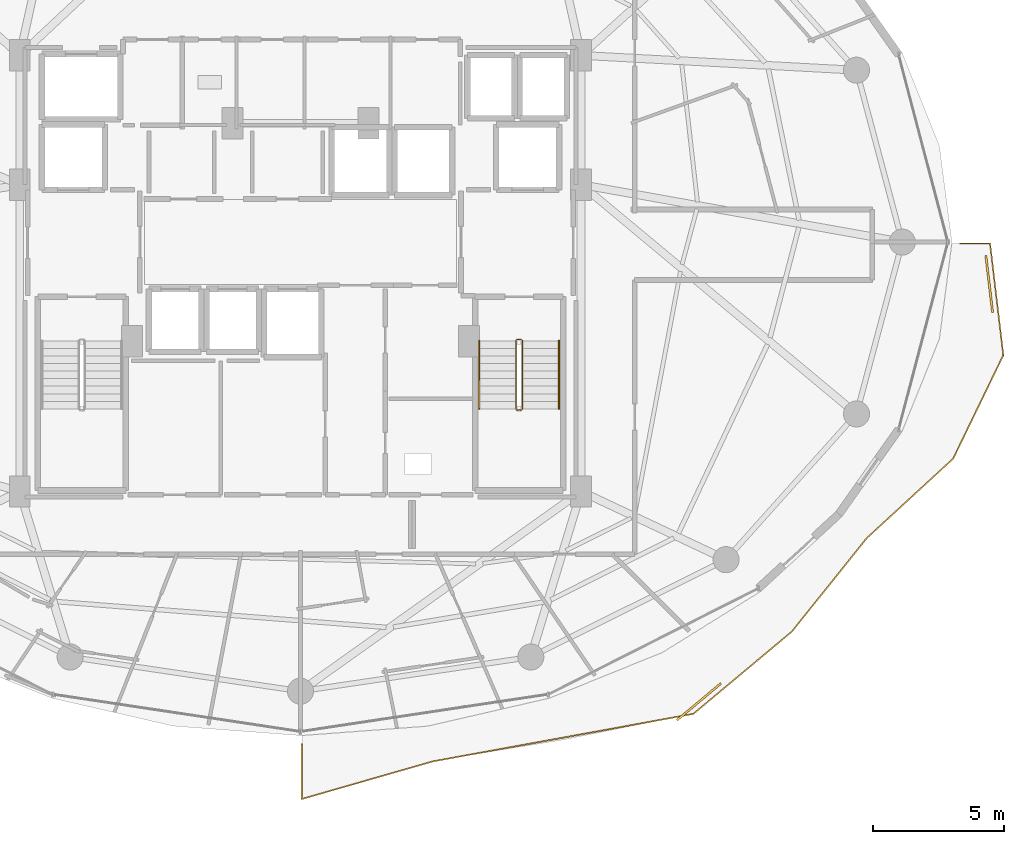
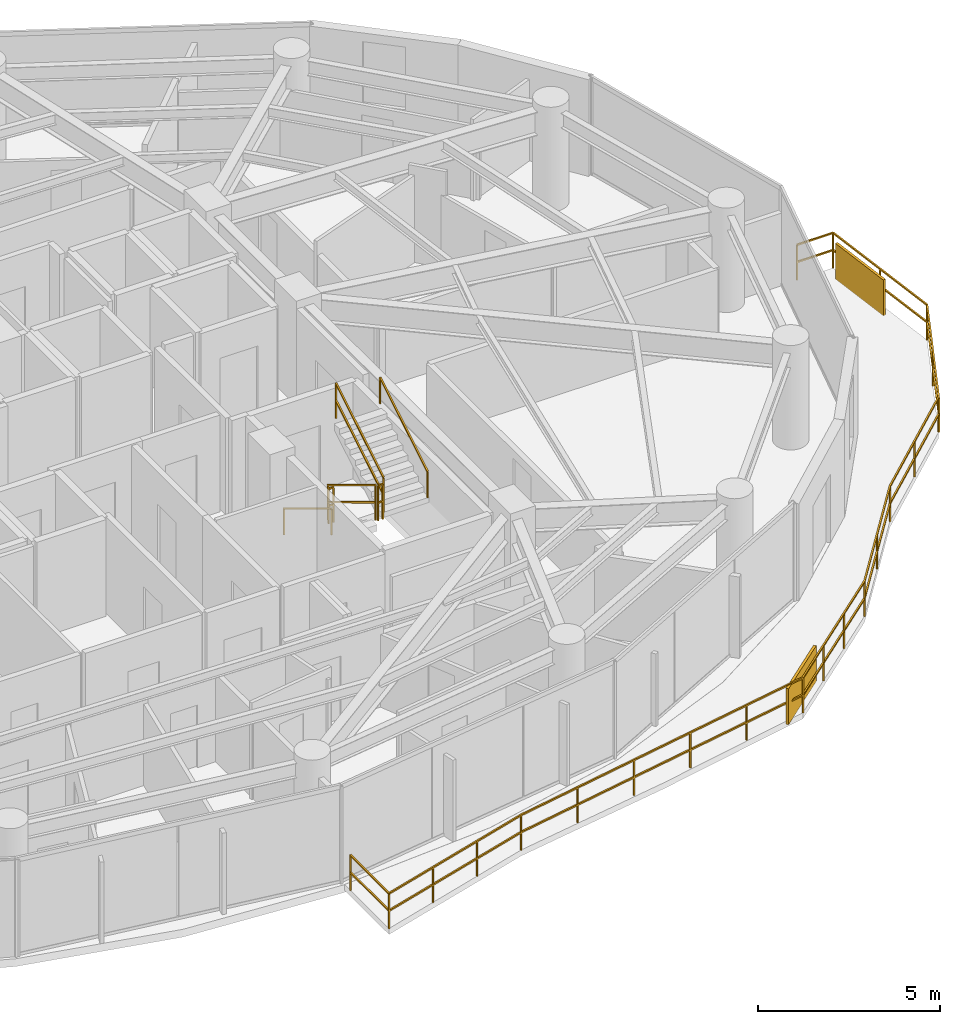
# One storey, part 29 of 31: 8 railings, 2 shading devices.
"""IFC4 building model written with IfcOpenShell, lengths in metres."""

import ifcopenshell
import ifcopenshell.guid

model = None  # the IFC model being written
_history = None  # IfcOwnerHistory: only IFC2X3 demands one
_inside = {}  # id of a spatial element -> (the spatial element, [elements in it])
_under = {}  # id of a project, library or spatial element -> (it, [spatial elements below it])
_declared = {}  # id of a project -> (the project, [libraries it declares])
_typed = {}  # id of a type object -> (the type object, [elements of that type])
_made_of = {}  # id of a material, layer set ... -> (it, [elements and type objects made of it])


def new_model(schema):
    """Start an empty IFC model of exactly this schema.

    Asked for "IFC4X3", IfcOpenShell would pick the latest addendum, in which some entities
    have other attributes; the version numbers below select the first issue.
    IFC2X3 requires an IfcOwnerHistory on every rooted entity: one is made here for all.
    """
    global model, _history
    if schema == "IFC4X3":
        model = ifcopenshell.file(schema_version=(4, 3, 0, 0))
    else:
        model = ifcopenshell.file(schema=schema)
    _inside.clear()
    _under.clear()
    _declared.clear()
    _typed.clear()
    _made_of.clear()
    _history = None
    if model.schema == "IFC2X3":
        org = make("IfcOrganization", Name="unknown")
        user = make(
            "IfcPersonAndOrganization",
            ThePerson=make("IfcPerson", FamilyName="unknown"),
            TheOrganization=org,
        )
        app = make(
            "IfcApplication",
            ApplicationDeveloper=org,
            Version="unknown",
            ApplicationFullName="unknown",
            ApplicationIdentifier="unknown",
        )
        _history = make(
            "IfcOwnerHistory",
            OwningUser=user,
            OwningApplication=app,
            ChangeAction="ADDED",
            CreationDate=0,
        )
    return model


def make(cls, **values):
    """One entity of the class cls with the attributes given. An attribute that is None is left unset."""
    return model.create_entity(
        cls, **{name: value for name, value in values.items() if value is not None}
    )


def rooted(cls, **values):
    """An entity with a GlobalId (a new one), such as an element, a storey or a relation."""
    return make(cls, GlobalId=ifcopenshell.guid.new(), OwnerHistory=_history, **values)


def si_unit(unit_type, name, prefix=None):
    """IfcSIUnit, for example si_unit("LENGTHUNIT", "METRE", prefix="MILLI")."""
    return make("IfcSIUnit", UnitType=unit_type, Prefix=prefix, Name=name)


def assignment(units):
    """IfcUnitAssignment: the units of a project."""
    return None if units is None else make("IfcUnitAssignment", Units=units)


def point(xyz):
    """IfcCartesianPoint."""
    return None if xyz is None else make("IfcCartesianPoint", Coordinates=xyz)


def direction(xyz):
    """IfcDirection."""
    return None if xyz is None else make("IfcDirection", DirectionRatios=xyz)


def frame(location, z_axis=None, x_axis=None):
    """IfcAxis2Placement3D, a coordinate frame: its origin and axes. An axis left out is left unset."""
    return make(
        "IfcAxis2Placement3D",
        Location=point(location),
        Axis=direction(z_axis),
        RefDirection=direction(x_axis),
    )


def frame_2d(location, x_axis=None):
    """IfcAxis2Placement2D, a coordinate frame in the plane: its origin and x axis."""
    return make(
        "IfcAxis2Placement2D", Location=point(location), RefDirection=direction(x_axis)
    )


def origin():
    """The frame at (0, 0, 0) with its axes left unset."""
    return frame((0.0, 0.0, 0.0))


def origin_2d():
    """The frame at (0, 0) in the plane with its x axis left unset."""
    return frame_2d((0.0, 0.0))


def place(relative_to, where):
    """IfcLocalPlacement: puts the frame where relative to a parent placement (None: the world)."""
    return make(
        "IfcLocalPlacement", PlacementRelTo=relative_to, RelativePlacement=where
    )


def context(
    kind, dimensions, precision=None, world=None, true_north=None, identifier=None
):
    """IfcGeometricRepresentationContext, for example the 3D "Model" context."""
    return make(
        "IfcGeometricRepresentationContext",
        ContextIdentifier=identifier,
        ContextType=kind,
        CoordinateSpaceDimension=dimensions,
        Precision=precision,
        WorldCoordinateSystem=world,
        TrueNorth=true_north,
    )


def subcontext(parent, identifier, kind, view, scale=None):
    """IfcGeometricRepresentationSubContext, for example "Body" below "Model"."""
    return make(
        "IfcGeometricRepresentationSubContext",
        ContextIdentifier=identifier,
        ContextType=kind,
        ParentContext=parent,
        TargetScale=scale,
        TargetView=view,
    )


def project(units=None, contexts=None):
    """IfcProject with its units and contexts."""
    return rooted(
        "IfcProject",
        Name="project",
        RepresentationContexts=contexts,
        UnitsInContext=assignment(units),
    )


def spatial(cls, under=None, at=None, **own):
    """A site, building, storey or space (cls), placed at a placement, below another one or the project."""
    s = rooted(cls, ObjectPlacement=at, **own)
    if under is not None:
        _under.setdefault(under.id(), (under, []))[1].append(s)
    return s


def profile(cls, at=None, kind="AREA", **sizes):
    """A parametric profile (cls). Its sizes go by their IFC names, for example OverallWidth=200.0."""
    return make(cls, ProfileType=kind, Position=at, **sizes)


def rectangle(**sizes):
    """IfcRectangleProfileDef."""
    return profile("IfcRectangleProfileDef", **sizes)


def extrude(swept, where, along, depth):
    """IfcExtrudedAreaSolid: the profile swept, set in the frame where, extruded along a direction by depth."""
    return make(
        "IfcExtrudedAreaSolid",
        SweptArea=swept,
        Position=where,
        ExtrudedDirection=direction(along),
        Depth=depth,
    )


def shape(context_of_items, identifier, shape_type, items):
    """IfcShapeRepresentation: the items that make up one representation, for example the "Body"."""
    return make(
        "IfcShapeRepresentation",
        ContextOfItems=context_of_items,
        RepresentationIdentifier=identifier,
        RepresentationType=shape_type,
        Items=items,
    )


def material(Name=None, Category=None):
    """IfcMaterial."""
    return make("IfcMaterial", Name=Name, Category=Category)


def made_of(thing, what):
    """Note that an element or type object is made of a material, layer set ...; save() writes the relation."""
    if what is not None:
        _made_of.setdefault(what.id(), (what, []))[1].append(thing)
    return thing


def type_object(cls, material=None, **own):
    """A type object (cls), such as IfcWallType, which elements share."""
    return made_of(rooted(cls, **own), material)


def element(
    cls,
    number,
    at=None,
    inside=None,
    cuts=None,
    type_object=None,
    material=None,
    context=None,
    identifier="Body",
    shape_type=None,
    held_by="IfcProductDefinitionShape",
    body=None,
    shapes=None,
    **own,
):
    """One element of the class cls, such as IfcWall. Its Tag is "e" and its number.

    at: its placement. inside: the storey or other place that contains it. cuts: it is an
    opening in that element (IfcRelVoidsElement). A single representation is given by context,
    identifier, shape_type and body (its items); several are given by shapes. held_by: the class
    of the entity that holds the representations. save() writes the other relations.
    """
    e = rooted(cls, Tag="e%d" % number, ObjectPlacement=at, **own)
    if body is not None:
        shapes = [shape(context, identifier, shape_type, body)]
    if shapes is not None:
        e.Representation = make(held_by, Representations=shapes)
    if inside is not None:
        _inside.setdefault(inside.id(), (inside, []))[1].append(e)
    if cuts is not None:
        rooted(
            "IfcRelVoidsElement", RelatingBuildingElement=cuts, RelatedOpeningElement=e
        )
    if type_object is not None:
        _typed.setdefault(type_object.id(), (type_object, []))[1].append(e)
    return made_of(e, material)


def aggregate(whole, parts):
    """IfcRelAggregates: a whole, such as a stair, and the parts it consists of."""
    return rooted("IfcRelAggregates", RelatingObject=whole, RelatedObjects=parts)


def save(model, path):
    """Write the relations noted so far, then the file.

    IfcRelAggregates (storeys below a building ...), IfcRelContainedInSpatialStructure (elements
    in a storey), IfcRelDefinesByType, IfcRelAssociatesMaterial and IfcRelDeclares: one each for
    every whole, place, type object, material and project.
    """
    for whole, parts in _under.values():
        aggregate(whole, parts)
    for where, things in _inside.values():
        rooted(
            "IfcRelContainedInSpatialStructure",
            RelatedElements=things,
            RelatingStructure=where,
        )
    for kind, things in _typed.values():
        rooted("IfcRelDefinesByType", RelatedObjects=things, RelatingType=kind)
    for what, things in _made_of.values():
        rooted("IfcRelAssociatesMaterial", RelatedObjects=things, RelatingMaterial=what)
    for by, libraries in _declared.values():
        rooted("IfcRelDeclares", RelatingContext=by, RelatedDefinitions=libraries)
    model.write(path)


model = new_model("IFC4")

# Units and contexts
model_context = context("Model", 3, precision=1e-05, world=origin(), true_north=direction((0.0, 1.0)))
body_context = subcontext(model_context, "Body", "Model", "MODEL_VIEW")
ifc_project = project(units=[si_unit("LENGTHUNIT", "METRE"), si_unit("AREAUNIT", "SQUARE_METRE"), si_unit("VOLUMEUNIT", "CUBIC_METRE"), si_unit("PLANEANGLEUNIT", "RADIAN"), si_unit("MASSUNIT", "GRAM", prefix="KILO")], contexts=[model_context])

# Site, building, storey
site_placement = place(None, origin())
site = spatial("IfcSite", under=ifc_project, at=site_placement, CompositionType="ELEMENT")
building_placement = place(site_placement, origin())
building = spatial("IfcBuilding", under=site, at=building_placement, Name="Vorneva Point Tower", CompositionType="ELEMENT")
storey_placement = place(building_placement, frame((0.0, 0.0, 132.60009765625)))
storey = spatial("IfcBuildingStorey", under=building, at=storey_placement, Name="L35", CompositionType="ELEMENT", Elevation=132.60009765625)

# Railings
ifc_material_1 = material(Name="Pale anodised aluminium", Category="aluminium")
railing_type_1 = type_object("IfcRailingType", Name="RL-BAL-1200", PredefinedType="BALUSTRADE", material=ifc_material_1)
railing_1_placement = place(storey_placement, frame((64.919677734375, 21.669677734375, 0.0)))
element("IfcRailing", 1, at=railing_1_placement, inside=storey, type_object=railing_type_1, Name="L35 Wave Balcony Balustrade SE.1", PredefinedType="BALUSTRADE", context=body_context, shape_type="SweptSolid", body=[
    extrude(rectangle(XDim=0.048095703125, YDim=0.048095703125, at=origin_2d()), frame((0.0, 0.0, 1.17578125), z_axis=(-0.11803736468, 0.993009154308, 0.0), x_axis=(-0.993009154308, -0.11803736468, 0.0)), (0.0, 0.0, 1.0), 4.310302734375),
    extrude(rectangle(XDim=0.048095703125, YDim=0.048095703125, at=origin_2d()), frame((0.0, 0.0, 0.60009765625), z_axis=(-0.11803736468, 0.993009154308, 0.0), x_axis=(-0.993009154308, -0.11803736468, 0.0)), (0.0, 0.0, 1.0), 4.310302734375),
    extrude(rectangle(XDim=0.048095703125, YDim=0.048095703125, at=origin_2d()), frame((-0.5087890625, 4.2802734375, 1.17578125), z_axis=(-1.0, 0.0, 0.0), x_axis=(0.0, -1.0, 0.0)), (0.0, 0.0, 1.0), 1.144775390625),
    extrude(rectangle(XDim=0.048095703125, YDim=0.048095703125, at=origin_2d()), frame((-0.5087890625, 4.2802734375, 0.60009765625), z_axis=(-1.0, 0.0, 0.0), x_axis=(0.0, -1.0, 0.0)), (0.0, 0.0, 1.0), 1.144775390625),
    extrude(rectangle(XDim=0.0419921875, YDim=0.0419921875, at=origin_2d()), origin(), (0.0, 0.0, 1.0), 1.15185546875),
    extrude(rectangle(XDim=0.0419921875, YDim=0.0419921875, at=origin_2d()), frame((-0.25439453125, 2.14013671875, 0.0)), (0.0, 0.0, 1.0), 1.15185546875),
    extrude(rectangle(XDim=0.0419921875, YDim=0.0419921875, at=origin_2d()), frame((-0.5087890625, 4.2802734375, 0.0)), (0.0, 0.0, 1.0), 1.15185546875),
    extrude(rectangle(XDim=0.0419921875, YDim=0.0419921875, at=origin_2d()), frame((-1.653564453125, 4.2802734375, 0.0)), (0.0, 0.0, 1.0), 1.15185546875),
])
railing_2_placement = place(storey_placement, frame((38.050048828125, 6.78271484375, 0.0)))
element("IfcRailing", 2, at=railing_2_placement, inside=storey, type_object=railing_type_1, Name="L35 Wave Balcony Balustrade SE.2", PredefinedType="BALUSTRADE", context=body_context, shape_type="SweptSolid", body=[
    extrude(rectangle(XDim=0.048095703125, YDim=0.048095703125, at=origin_2d()), frame((0.0, 0.0, 1.17578125), z_axis=(0.0, -1.0, 0.0), x_axis=(1.0, 0.0, 0.0)), (0.0, 0.0, 1.0), 2.11328125),
    extrude(rectangle(XDim=0.048095703125, YDim=0.048095703125, at=origin_2d()), frame((0.0, 0.0, 0.60009765625), z_axis=(0.0, -1.0, 0.0), x_axis=(1.0, 0.0, 0.0)), (0.0, 0.0, 1.0), 2.11328125),
    extrude(rectangle(XDim=0.048095703125, YDim=0.048095703125, at=origin_2d()), frame((0.0, -2.11328125, 1.17578125), z_axis=(0.96119346626, 0.275875189932, 0.0), x_axis=(-0.275875189932, 0.96119346626, 0.0)), (0.0, 0.0, 1.0), 5.223876953125),
    extrude(rectangle(XDim=0.048095703125, YDim=0.048095703125, at=origin_2d()), frame((0.0, -2.11328125, 0.60009765625), z_axis=(0.96119346626, 0.275875189932, 0.0), x_axis=(-0.275875189932, 0.96119346626, 0.0)), (0.0, 0.0, 1.0), 5.223876953125),
    extrude(rectangle(XDim=0.048095703125, YDim=0.048095703125, at=origin_2d()), frame((5.021240234375, -0.672119140625, 1.17578125), z_axis=(0.98373796835, 0.17960960338, 0.0), x_axis=(-0.17960960338, 0.98373796835, 0.0)), (0.0, 0.0, 1.0), 10.145751953125),
    extrude(rectangle(XDim=0.048095703125, YDim=0.048095703125, at=origin_2d()), frame((5.021240234375, -0.672119140625, 0.60009765625), z_axis=(0.98373796835, 0.17960960338, 0.0), x_axis=(-0.17960960338, 0.98373796835, 0.0)), (0.0, 0.0, 1.0), 10.145751953125),
    extrude(rectangle(XDim=0.048095703125, YDim=0.048095703125, at=origin_2d()), frame((15.001953125, 1.150146484375, 1.17578125), z_axis=(0.767360639306, 0.64121575873, 0.0), x_axis=(-0.64121575873, 0.767360639306, 0.0)), (0.0, 0.0, 1.0), 4.91015625),
    extrude(rectangle(XDim=0.048095703125, YDim=0.048095703125, at=origin_2d()), frame((15.001953125, 1.150146484375, 0.60009765625), z_axis=(0.767360639306, 0.64121575873, 0.0), x_axis=(-0.64121575873, 0.767360639306, 0.0)), (0.0, 0.0, 1.0), 4.91015625),
    extrude(rectangle(XDim=0.048095703125, YDim=0.048095703125, at=origin_2d()), frame((18.769775390625, 4.298583984375, 1.17578125), z_axis=(0.625595847839, 0.780147316324, 0.0), x_axis=(-0.780147316324, 0.625595847839, 0.0)), (0.0, 0.0, 1.0), 4.592041015625),
    extrude(rectangle(XDim=0.048095703125, YDim=0.048095703125, at=origin_2d()), frame((18.769775390625, 4.298583984375, 0.60009765625), z_axis=(0.625595847839, 0.780147316324, 0.0), x_axis=(-0.780147316324, 0.625595847839, 0.0)), (0.0, 0.0, 1.0), 4.592041015625),
    extrude(rectangle(XDim=0.048095703125, YDim=0.048095703125, at=origin_2d()), frame((21.642578125, 7.881103515625, 1.17578125), z_axis=(0.735992788181, 0.67698937639, 0.0), x_axis=(-0.67698937639, 0.735992788181, 0.0)), (0.0, 0.0, 1.0), 4.489501953125),
    extrude(rectangle(XDim=0.048095703125, YDim=0.048095703125, at=origin_2d()), frame((21.642578125, 7.881103515625, 0.60009765625), z_axis=(0.735992788181, 0.67698937639, 0.0), x_axis=(-0.67698937639, 0.735992788181, 0.0)), (0.0, 0.0, 1.0), 4.489501953125),
    extrude(rectangle(XDim=0.048095703125, YDim=0.048095703125, at=origin_2d()), frame((24.94677734375, 10.92041015625, 1.17578125), z_axis=(0.436213714264, 0.899843094927, 0.0), x_axis=(-0.899843094927, 0.436213714264, 0.0)), (0.0, 0.0, 1.0), 4.407958984375),
    extrude(rectangle(XDim=0.048095703125, YDim=0.048095703125, at=origin_2d()), frame((24.94677734375, 10.92041015625, 0.60009765625), z_axis=(0.436213714264, 0.899843094927, 0.0), x_axis=(-0.899843094927, 0.436213714264, 0.0)), (0.0, 0.0, 1.0), 4.407958984375),
    extrude(rectangle(XDim=0.0419921875, YDim=0.0419921875, at=origin_2d()), origin(), (0.0, 0.0, 1.0), 1.15185546875),
    extrude(rectangle(XDim=0.0419921875, YDim=0.0419921875, at=origin_2d()), frame((0.0, -2.11328125, 0.0)), (0.0, 0.0, 1.0), 1.15185546875),
    extrude(rectangle(XDim=0.0419921875, YDim=0.0419921875, at=origin_2d()), frame((1.673828125, -1.6328125, 0.0)), (0.0, 0.0, 1.0), 1.15185546875),
    extrude(rectangle(XDim=0.0419921875, YDim=0.0419921875, at=origin_2d()), frame((3.347412109375, -1.152587890625, 0.0)), (0.0, 0.0, 1.0), 1.15185546875),
    extrude(rectangle(XDim=0.0419921875, YDim=0.0419921875, at=origin_2d()), frame((5.021240234375, -0.672119140625, 0.0)), (0.0, 0.0, 1.0), 1.15185546875),
    extrude(rectangle(XDim=0.0419921875, YDim=0.0419921875, at=origin_2d()), frame((7.017333984375, -0.3076171875, 0.0)), (0.0, 0.0, 1.0), 1.15185546875),
    extrude(rectangle(XDim=0.0419921875, YDim=0.0419921875, at=origin_2d()), frame((9.013427734375, 0.056884765625, 0.0)), (0.0, 0.0, 1.0), 1.15185546875),
    extrude(rectangle(XDim=0.0419921875, YDim=0.0419921875, at=origin_2d()), frame((11.009765625, 0.421142578125, 0.0)), (0.0, 0.0, 1.0), 1.15185546875),
    extrude(rectangle(XDim=0.0419921875, YDim=0.0419921875, at=origin_2d()), frame((13.005859375, 0.78564453125, 0.0)), (0.0, 0.0, 1.0), 1.15185546875),
    extrude(rectangle(XDim=0.0419921875, YDim=0.0419921875, at=origin_2d()), frame((15.001953125, 1.150146484375, 0.0)), (0.0, 0.0, 1.0), 1.15185546875),
    extrude(rectangle(XDim=0.0419921875, YDim=0.0419921875, at=origin_2d()), frame((16.2578125, 2.19970703125, 0.0)), (0.0, 0.0, 1.0), 1.15185546875),
    extrude(rectangle(XDim=0.0419921875, YDim=0.0419921875, at=origin_2d()), frame((17.513916015625, 3.2490234375, 0.0)), (0.0, 0.0, 1.0), 1.15185546875),
    extrude(rectangle(XDim=0.0419921875, YDim=0.0419921875, at=origin_2d()), frame((18.769775390625, 4.298583984375, 0.0)), (0.0, 0.0, 1.0), 1.15185546875),
    extrude(rectangle(XDim=0.0419921875, YDim=0.0419921875, at=origin_2d()), frame((20.2060546875, 6.08984375, 0.0)), (0.0, 0.0, 1.0), 1.15185546875),
    extrude(rectangle(XDim=0.0419921875, YDim=0.0419921875, at=origin_2d()), frame((21.642578125, 7.881103515625, 0.0)), (0.0, 0.0, 1.0), 1.15185546875),
    extrude(rectangle(XDim=0.0419921875, YDim=0.0419921875, at=origin_2d()), frame((23.294677734375, 9.40087890625, 0.0)), (0.0, 0.0, 1.0), 1.15185546875),
    extrude(rectangle(XDim=0.0419921875, YDim=0.0419921875, at=origin_2d()), frame((24.94677734375, 10.92041015625, 0.0)), (0.0, 0.0, 1.0), 1.15185546875),
    extrude(rectangle(XDim=0.0419921875, YDim=0.0419921875, at=origin_2d()), frame((25.908203125, 12.90380859375, 0.0)), (0.0, 0.0, 1.0), 1.15185546875),
    extrude(rectangle(XDim=0.0419921875, YDim=0.0419921875, at=origin_2d()), frame((26.86962890625, 14.886962890625, 0.0)), (0.0, 0.0, 1.0), 1.15185546875),
])
ifc_material_2 = material(Name="Brushed stainless steel S304", Category="steel")
railing_type_2 = type_object("IfcRailingType", Name="RL-HND-920", PredefinedType="HANDRAIL", material=ifc_material_2)
railing_3_placement = place(storey_placement, frame((44.85009765625, 22.219970703125, 0.1748046875)))
element("IfcRailing", 3, at=railing_3_placement, inside=storey, type_object=railing_type_2, Name="L35 ST2 stair handrail 1", PredefinedType="HANDRAIL", context=body_context, shape_type="SweptSolid", body=[
    extrude(rectangle(XDim=0.048095703125, YDim=0.048095703125, at=origin_2d()), frame((0.0, 0.0, 0.8759765625), z_axis=(0.0, -0.856147343639, 0.516731773728), x_axis=(1.0, 0.0, 0.0)), (0.0, 0.0, 1.0), 3.04833984375),
    extrude(rectangle(XDim=0.0419921875, YDim=0.0419921875, at=origin_2d()), origin(), (0.0, 0.0, 1.0), 0.851806640625),
    extrude(rectangle(XDim=0.0419921875, YDim=0.0419921875, at=origin_2d()), frame((0.0, -2.60986328125, 1.5751953125)), (0.0, 0.0, 1.0), 0.851806640625),
])
railing_4_placement = place(storey_placement, frame((47.89990234375, 19.610107421875, 1.9248046875)))
element("IfcRailing", 4, at=railing_4_placement, inside=storey, type_object=railing_type_2, Name="L35 ST2 stair handrail 2", PredefinedType="HANDRAIL", context=body_context, shape_type="SweptSolid", body=[
    extrude(rectangle(XDim=0.048095703125, YDim=0.048095703125, at=origin_2d()), frame((0.0, 0.0, 0.8759765625), z_axis=(0.0, 0.856147343639, 0.516731773728), x_axis=(-1.0, 0.0, 0.0)), (0.0, 0.0, 1.0), 3.04833984375),
    extrude(rectangle(XDim=0.0419921875, YDim=0.0419921875, at=origin_2d()), origin(), (0.0, 0.0, 1.0), 0.851806640625),
    extrude(rectangle(XDim=0.0419921875, YDim=0.0419921875, at=origin_2d()), frame((0.0, 2.60986328125, 1.5751953125)), (0.0, 0.0, 1.0), 0.851806640625),
])
railing_type_3 = type_object("IfcRailingType", Name="RL-STG-1100", PredefinedType="GUARDRAIL", material=ifc_material_2)
railing_5_placement = place(storey_placement, frame((46.25, 22.219970703125, 0.1748046875)))
element("IfcRailing", 5, at=railing_5_placement, inside=storey, type_object=railing_type_3, Name="L35 ST2 stair guard 1", PredefinedType="GUARDRAIL", context=body_context, shape_type="SweptSolid", body=[
    extrude(rectangle(XDim=0.048095703125, YDim=0.048095703125, at=origin_2d()), frame((0.0, 0.0, 1.17578125), z_axis=(0.0, -0.856147343639, 0.516731773728), x_axis=(1.0, 0.0, 0.0)), (0.0, 0.0, 1.0), 3.04833984375),
    extrude(rectangle(XDim=0.048095703125, YDim=0.048095703125, at=origin_2d()), frame((0.0, 0.0, 0.60009765625), z_axis=(0.0, -0.856147343639, 0.516731773728), x_axis=(1.0, 0.0, 0.0)), (0.0, 0.0, 1.0), 3.04833984375),
    extrude(rectangle(XDim=0.0419921875, YDim=0.0419921875, at=origin_2d()), origin(), (0.0, 0.0, 1.0), 1.15185546875),
    extrude(rectangle(XDim=0.0419921875, YDim=0.0419921875, at=origin_2d()), frame((0.0, -2.60986328125, 1.5751953125)), (0.0, 0.0, 1.0), 1.15185546875),
])
railing_6_placement = place(storey_placement, frame((46.300048828125, 19.56005859375, 1.75)))
element("IfcRailing", 6, at=railing_6_placement, inside=storey, type_object=railing_type_3, Name="L35 ST2 stair guard 2", PredefinedType="GUARDRAIL", context=body_context, shape_type="SweptSolid", body=[
    extrude(rectangle(XDim=0.048095703125, YDim=0.048095703125, at=origin_2d()), frame((0.0, 0.0, 1.17578125), z_axis=(1.0, 0.0, 0.0), x_axis=(0.0, 1.0, 0.0)), (0.0, 0.0, 1.0), 0.14990234375),
    extrude(rectangle(XDim=0.048095703125, YDim=0.048095703125, at=origin_2d()), frame((0.0, 0.0, 0.60009765625), z_axis=(1.0, 0.0, 0.0), x_axis=(0.0, 1.0, 0.0)), (0.0, 0.0, 1.0), 0.14990234375),
    extrude(rectangle(XDim=0.0419921875, YDim=0.0419921875, at=origin_2d()), origin(), (0.0, 0.0, 1.0), 1.15185546875),
    extrude(rectangle(XDim=0.0419921875, YDim=0.0419921875, at=origin_2d()), frame((0.14990234375, 0.0, 0.0)), (0.0, 0.0, 1.0), 1.15185546875),
])
railing_7_placement = place(storey_placement, frame((46.5, 19.610107421875, 1.9248046875)))
element("IfcRailing", 7, at=railing_7_placement, inside=storey, type_object=railing_type_3, Name="L35 ST2 stair guard 3", PredefinedType="GUARDRAIL", context=body_context, shape_type="SweptSolid", body=[
    extrude(rectangle(XDim=0.048095703125, YDim=0.048095703125, at=origin_2d()), frame((0.0, 0.0, 1.17578125), z_axis=(0.0, 0.856147343639, 0.516731773728), x_axis=(-1.0, 0.0, 0.0)), (0.0, 0.0, 1.0), 3.04833984375),
    extrude(rectangle(XDim=0.048095703125, YDim=0.048095703125, at=origin_2d()), frame((0.0, 0.0, 0.60009765625), z_axis=(0.0, 0.856147343639, 0.516731773728), x_axis=(-1.0, 0.0, 0.0)), (0.0, 0.0, 1.0), 3.04833984375),
    extrude(rectangle(XDim=0.0419921875, YDim=0.0419921875, at=origin_2d()), origin(), (0.0, 0.0, 1.0), 1.15185546875),
    extrude(rectangle(XDim=0.0419921875, YDim=0.0419921875, at=origin_2d()), frame((0.0, 2.60986328125, 1.5751953125)), (0.0, 0.0, 1.0), 1.15185546875),
])
railing_8_placement = place(storey_placement, frame((46.300048828125, 22.27001953125, 0.0)))
element("IfcRailing", 8, at=railing_8_placement, inside=storey, type_object=railing_type_3, Name="L35 ST2 stair guard 4", PredefinedType="GUARDRAIL", context=body_context, shape_type="SweptSolid", body=[
    extrude(rectangle(XDim=0.048095703125, YDim=0.048095703125, at=origin_2d()), frame((0.0, 0.0, 1.17578125), z_axis=(1.0, 0.0, 0.0), x_axis=(0.0, 1.0, 0.0)), (0.0, 0.0, 1.0), 0.14990234375),
    extrude(rectangle(XDim=0.048095703125, YDim=0.048095703125, at=origin_2d()), frame((0.0, 0.0, 0.60009765625), z_axis=(1.0, 0.0, 0.0), x_axis=(0.0, 1.0, 0.0)), (0.0, 0.0, 1.0), 0.14990234375),
    extrude(rectangle(XDim=0.0419921875, YDim=0.0419921875, at=origin_2d()), origin(), (0.0, 0.0, 1.0), 1.15185546875),
    extrude(rectangle(XDim=0.0419921875, YDim=0.0419921875, at=origin_2d()), frame((0.14990234375, 0.0, 0.0)), (0.0, 0.0, 1.0), 1.15185546875),
])

# Shading devices
shading_device_type = type_object("IfcShadingDeviceType", Name="SHD-JAL-1200", PredefinedType="JALOUSIE", material=ifc_material_1)
for number, where, z_axis, x_axis, name in (
    (9, (64.378173828125, 24.3916015625, -0.02001953125), (0.0, 0.0, 1.0), (-0.118022688203, 0.993010898767, 0.0), "L35 Balcony Vertical-Greenery Planter Screen SE.1"),
    (10, (53.259033203125, 8.392333984375, -0.02001953125), (0.0, 0.0, 1.0), (0.767344248429, 0.641235373636, 0.0), "L35 Balcony Vertical-Greenery Planter Screen SE.2"),
):
    element("IfcShadingDevice", number, at=place(storey_placement, frame(where, z_axis=z_axis, x_axis=x_axis)), inside=storey, type_object=shading_device_type, Name=name, PredefinedType="JALOUSIE", context=body_context, shape_type="SweptSolid", body=[
        extrude(rectangle(XDim=2.199951171875, YDim=0.080078125, at=origin_2d()), origin(), (0.0, 0.0, 1.0), 1.199951171875),
    ])

save(model, "model.ifc")
